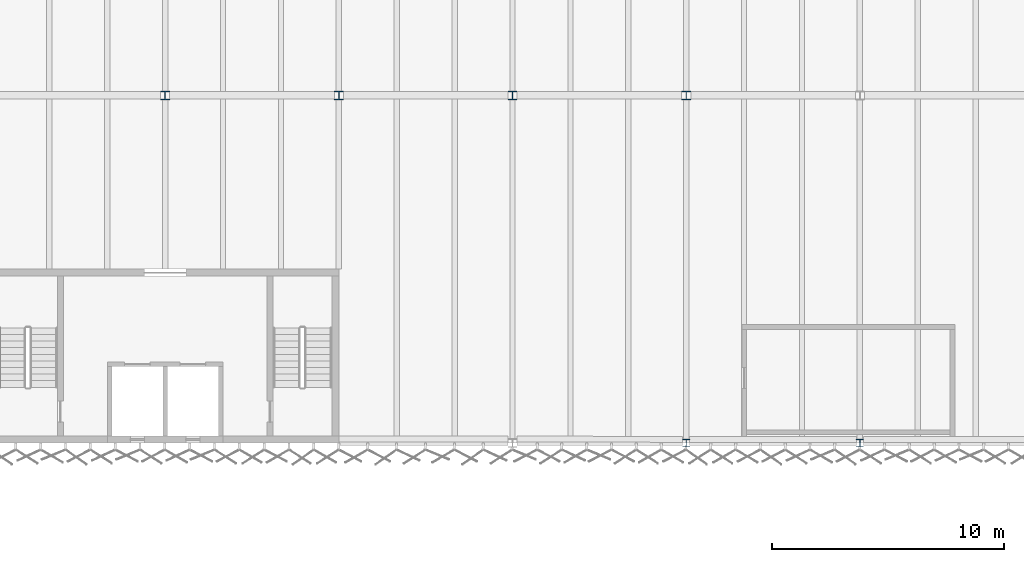
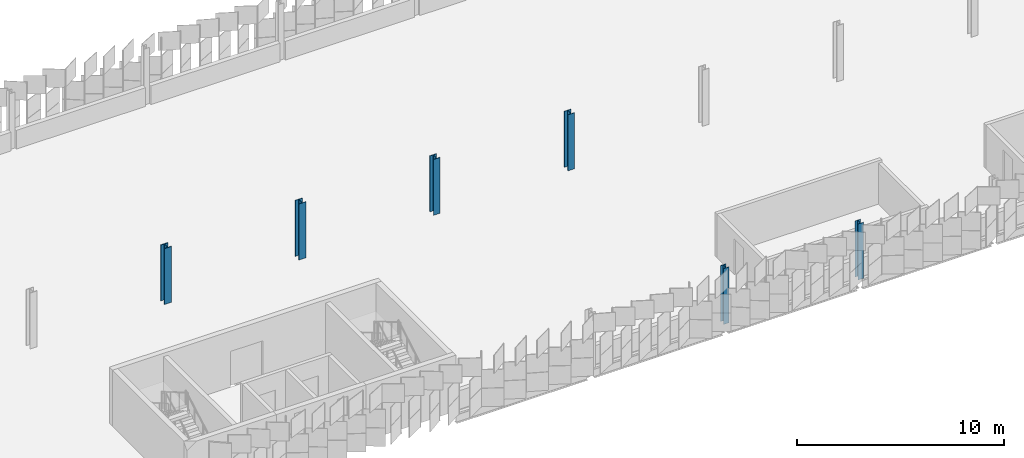
# One storey, part 11 of 198: 6 columns.
"""IFC4 building model written with IfcOpenShell, lengths in metres."""

from ifc_helpers import new_model, si_unit, direction, frame, origin, origin_2d, place, context, subcontext, project, spatial, i_section, extrude, material, material_profile, profile_set, type_object, element, save


model = new_model("IFC4")

# Units and contexts
model_context = context("Model", 3, precision=1e-05, world=origin(), true_north=direction((0.0, 1.0)))
body_context = subcontext(model_context, "Body", "Model", "MODEL_VIEW")
ifc_project = project(units=[si_unit("LENGTHUNIT", "METRE"), si_unit("AREAUNIT", "SQUARE_METRE"), si_unit("VOLUMEUNIT", "CUBIC_METRE"), si_unit("PLANEANGLEUNIT", "RADIAN"), si_unit("MASSUNIT", "GRAM", prefix="KILO")], contexts=[model_context])

# Site, building, storey
site_placement = place(None, origin())
site = spatial("IfcSite", under=ifc_project, at=site_placement, CompositionType="ELEMENT")
building_placement = place(site_placement, origin())
building = spatial("IfcBuilding", under=site, at=building_placement, Name="Parallax Yard Mobility Hub", CompositionType="ELEMENT")
storey_placement = place(building_placement, frame((0.0, 0.0, 6.60009765625)))
storey = spatial("IfcBuildingStorey", under=building, at=storey_placement, Name="L02", CompositionType="ELEMENT", Elevation=6.60009765625)

# Columns
ifc_material = material(Name="Steel ASTM A992", Category="steel")
ifc_material_profile_1 = material_profile(ifc_material, i_section(OverallWidth=0.304931640625, OverallDepth=0.306884765625, WebThickness=0.010009765625, FlangeThickness=0.015380859375, FilletRadius=0.01513671875, at=origin_2d()), Name="W310x97")
ifc_profile_set_1 = profile_set([ifc_material_profile_1], Name="Steel ASTM A992")
column_type_1 = type_object("IfcColumnType", Name="W310x97 column", PredefinedType="COLUMN", material=ifc_profile_set_1)
for number, where, z_axis, x_axis, name in (
    (1, (97.5, 112.5, 0.0), (0.0, 0.0, 1.0), (1.0, 0.0, 0.0), "Column C1 level L02 at R/14 of ramped parking decks"),
    (2, (105.0, 112.5, 0.0), (0.0, 0.0, 1.0), (1.0, 0.0, 0.0), "Column C1 level L02 at R/15 of ramped parking decks"),
):
    element("IfcColumn", number, at=place(storey_placement, frame(where, z_axis=z_axis, x_axis=x_axis)), inside=storey, type_object=column_type_1, Name=name, PredefinedType="COLUMN", context=body_context, shape_type="SweptSolid", body=[
        extrude(i_section(OverallWidth=0.304931640625, OverallDepth=0.306884765625, WebThickness=0.010009765625, FlangeThickness=0.015380859375, FilletRadius=0.01513671875, at=origin_2d()), origin(), (0.0, 0.0, 1.0), 3.2998046875),
    ])
ifc_material_profile_2 = material_profile(ifc_material, i_section(OverallWidth=0.373046875, OverallDepth=0.367919921875, WebThickness=0.014892578125, FlangeThickness=0.02392578125, FilletRadius=0.01513671875, at=origin_2d()), Name="W360x179")
ifc_profile_set_2 = profile_set([ifc_material_profile_2], Name="Steel ASTM A992")
column_type_2 = type_object("IfcColumnType", Name="W360x179 column", PredefinedType="COLUMN", material=ifc_profile_set_2)
for number, where, z_axis, x_axis, name in (
    (3, (90.0, 127.5, 0.0), (0.0, 0.0, 1.0), (1.0, 0.0, 0.0), "Column C7 level L02 at T/13 of ramped parking decks"),
    (4, (97.5, 127.5, 0.0), (0.0, 0.0, 1.0), (1.0, 0.0, 0.0), "Column C7 level L02 at T/14 of ramped parking decks"),
):
    element("IfcColumn", number, at=place(storey_placement, frame(where, z_axis=z_axis, x_axis=x_axis)), inside=storey, type_object=column_type_2, Name=name, PredefinedType="COLUMN", context=body_context, shape_type="SweptSolid", body=[
        extrude(i_section(OverallWidth=0.373046875, OverallDepth=0.367919921875, WebThickness=0.014892578125, FlangeThickness=0.02392578125, FilletRadius=0.01513671875, at=origin_2d()), origin(), (0.0, 0.0, 1.0), 3.2998046875),
    ])
ifc_material_profile_3 = material_profile(ifc_material, i_section(OverallWidth=0.39404296875, OverallDepth=0.3759765625, WebThickness=0.017333984375, FlangeThickness=0.027587890625, FilletRadius=0.01513671875, at=origin_2d()), Name="W360x216")
ifc_profile_set_3 = profile_set([ifc_material_profile_3], Name="Steel ASTM A992")
column_type_3 = type_object("IfcColumnType", Name="W360x216 column", PredefinedType="COLUMN", material=ifc_profile_set_3)
column_1_placement = place(storey_placement, frame((82.5, 127.5, 0.0), z_axis=(0.0, 0.0, 1.0), x_axis=(1.0, 0.0, 0.0)))
element("IfcColumn", 5, at=column_1_placement, inside=storey, type_object=column_type_3, Name="Column C9 level L02 at T/12 of ramped parking decks", PredefinedType="COLUMN", context=body_context, shape_type="SweptSolid", body=[
    extrude(i_section(OverallWidth=0.39404296875, OverallDepth=0.3759765625, WebThickness=0.017333984375, FlangeThickness=0.027587890625, FilletRadius=0.01513671875, at=origin_2d()), origin(), (0.0, 0.0, 1.0), 3.2998046875),
])
ifc_material_profile_4 = material_profile(ifc_material, i_section(OverallWidth=0.39599609375, OverallDepth=0.381103515625, WebThickness=0.018798828125, FlangeThickness=0.0302734375, FilletRadius=0.015380859375, at=origin_2d()), Name="W360x237")
ifc_profile_set_4 = profile_set([ifc_material_profile_4], Name="Steel ASTM A992")
column_type_4 = type_object("IfcColumnType", Name="W360x237 column", PredefinedType="COLUMN", material=ifc_profile_set_4)
column_2_placement = place(storey_placement, frame((75.0, 127.5, 0.0), z_axis=(0.0, 0.0, 1.0), x_axis=(1.0, 0.0, 0.0)))
element("IfcColumn", 6, at=column_2_placement, inside=storey, type_object=column_type_4, Name="Column C10 level L02 at T/11 of ramped parking decks", PredefinedType="COLUMN", context=body_context, shape_type="SweptSolid", body=[
    extrude(i_section(OverallWidth=0.39599609375, OverallDepth=0.381103515625, WebThickness=0.018798828125, FlangeThickness=0.0302734375, FilletRadius=0.015380859375, at=origin_2d()), origin(), (0.0, 0.0, 1.0), 3.2998046875),
])

save(model, "model.ifc")
